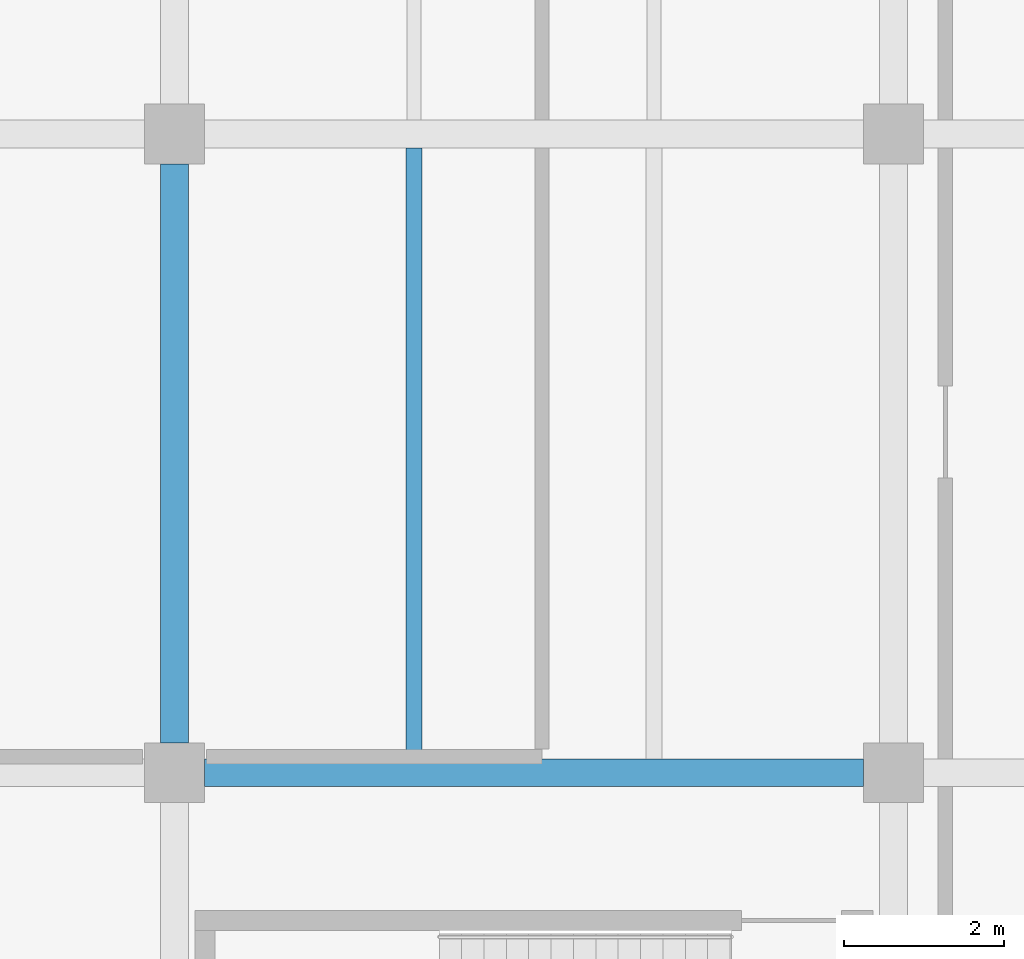
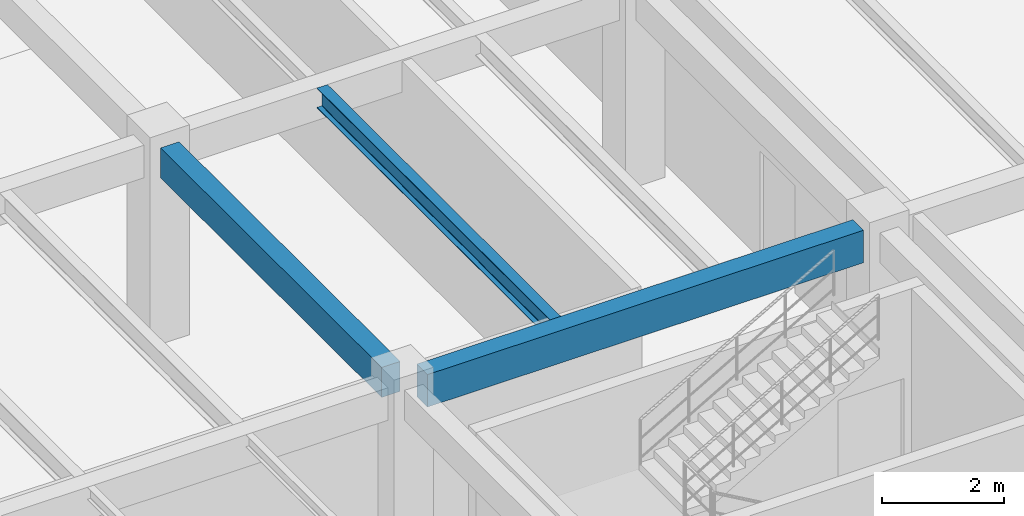
# One storey, part 72 of 128: 3 beams.
"""IFC4 building model written with IfcOpenShell, lengths in metres."""

from ifc_helpers import new_model, si_unit, derived_unit, direction, frame, origin, origin_2d, place, context, subcontext, project, spatial, rectangle, i_section, extrude, material, material_profile, profile_set, type_object, element, save


model = new_model("IFC4")

# Units and contexts
model_context = context("Model", 3, precision=1e-05, world=origin(), true_north=direction((0.0, 1.0)))
body_context = subcontext(model_context, "Body", "Model", "MODEL_VIEW")
ifc_project = project(units=[si_unit("LENGTHUNIT", "METRE"), si_unit("AREAUNIT", "SQUARE_METRE"), si_unit("VOLUMEUNIT", "CUBIC_METRE"), si_unit("PLANEANGLEUNIT", "RADIAN"), si_unit("MASSUNIT", "GRAM", prefix="KILO"), derived_unit("THERMALTRANSMITTANCEUNIT", [(si_unit("MASSUNIT", "GRAM", prefix="KILO"), 1), (si_unit("TIMEUNIT", "SECOND"), -3), (si_unit("THERMODYNAMICTEMPERATUREUNIT", "KELVIN"), -1)])], contexts=[model_context])

# Site, building, storey
site_placement = place(None, origin())
site = spatial("IfcSite", under=ifc_project, at=site_placement, CompositionType="ELEMENT")
building_placement = place(site_placement, origin())
building = spatial("IfcBuilding", under=site, at=building_placement, Name="Zhenchuan Archway Interchange", CompositionType="ELEMENT")
storey_placement = place(building_placement, frame((0.0, 0.0, 14.39990234375)))
storey = spatial("IfcBuildingStorey", under=building, at=storey_placement, Name="L03", CompositionType="ELEMENT", Elevation=14.39990234375)

# Beams
ifc_material_1 = material(Name="Concrete C40", Category="concrete")
ifc_material_profile_1 = material_profile(ifc_material_1, rectangle(XDim=0.35009765625, YDim=0.60009765625, at=origin_2d()), Name="RC 350x600")
ifc_profile_set_1 = profile_set([ifc_material_profile_1], Name="Concrete C40")
beam_type_1 = type_object("IfcBeamType", Name="BM_RC_350x600", PredefinedType="BEAM", material=ifc_profile_set_1)
beam_1_placement = place(storey_placement, frame((153.0, 24.375, 3.630126953125), z_axis=(0.0, 1.0, 0.0), x_axis=(-1.0, 0.0, 0.0)))
element("IfcBeam", 1, at=beam_1_placement, inside=storey, type_object=beam_type_1, Name="Beam 18:D-E (L03)", PredefinedType="BEAM", context=body_context, shape_type="SweptSolid", body=[
    extrude(rectangle(XDim=0.35009765625, YDim=0.60009765625, at=origin_2d()), origin(), (0.0, 0.0, 1.0), 7.25),
])
ifc_material_profile_2 = material_profile(ifc_material_1, rectangle(XDim=0.35009765625, YDim=0.64990234375, at=origin_2d()), Name="RC 350x650")
ifc_profile_set_2 = profile_set([ifc_material_profile_2], Name="Concrete C40")
beam_type_2 = type_object("IfcBeamType", Name="BM_RC_350x650", PredefinedType="BEAM", material=ifc_profile_set_2)
beam_2_placement = place(storey_placement, frame((153.375, 24.0, 3.60498046875), z_axis=(1.0, 0.0, 0.0), x_axis=(0.0, 1.0, 0.0)))
element("IfcBeam", 2, at=beam_2_placement, inside=storey, type_object=beam_type_2, Name="Beam D:18-19 (L03)", PredefinedType="BEAM", context=body_context, shape_type="SweptSolid", body=[
    extrude(rectangle(XDim=0.35009765625, YDim=0.64990234375, at=origin_2d()), origin(), (0.0, 0.0, 1.0), 8.25),
])
ifc_material_2 = material(Name="Steel Q355", Category="steel")
ifc_material_profile_3 = material_profile(ifc_material_2, i_section(OverallWidth=0.199951171875, OverallDepth=0.39990234375, WebThickness=0.008056640625, FlangeThickness=0.012939453125, FilletRadius=0.01611328125, at=origin_2d()), Name="HN 400x200")
ifc_profile_set_3 = profile_set([ifc_material_profile_3], Name="Steel Q355")
beam_type_3 = type_object("IfcBeamType", Name="JST_STL_HN400", PredefinedType="JOIST", material=ifc_profile_set_3)
beam_3_placement = place(storey_placement, frame((156.0, 24.175048828125, 3.72998046875), z_axis=(0.0, 1.0, 0.0), x_axis=(-1.0, 0.0, 0.0)))
element("IfcBeam", 3, at=beam_3_placement, inside=storey, type_object=beam_type_3, Name="Secondary joist 18-19/D-E #1 (L03)", PredefinedType="JOIST", context=body_context, shape_type="SweptSolid", body=[
    extrude(i_section(OverallWidth=0.199951171875, OverallDepth=0.39990234375, WebThickness=0.008056640625, FlangeThickness=0.012939453125, FilletRadius=0.01611328125, at=origin_2d()), origin(), (0.0, 0.0, 1.0), 7.64990234375),
])

save(model, "model.ifc")
